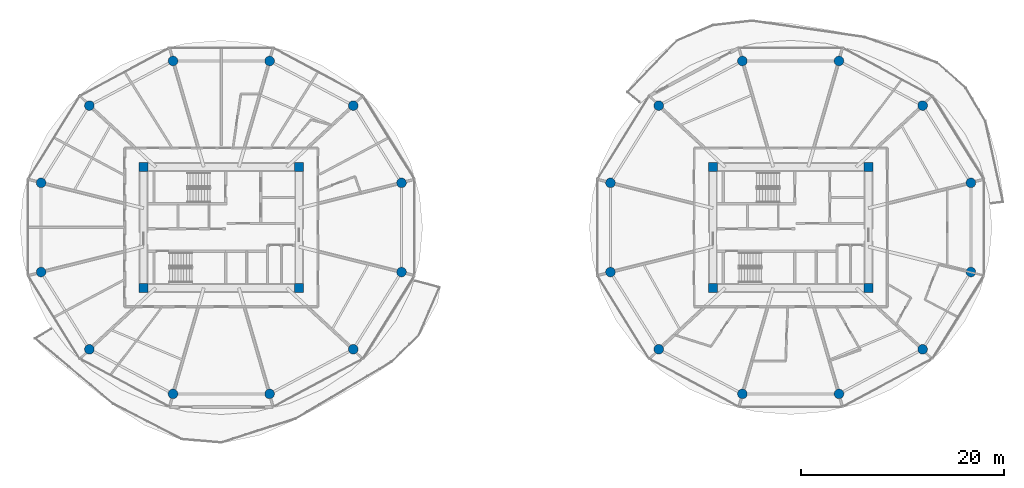
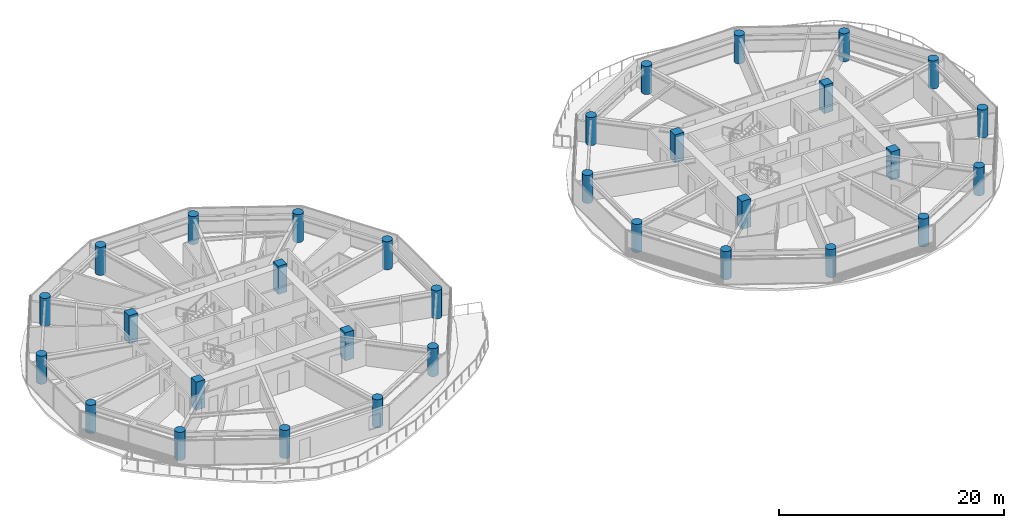
# One storey, part 1 of 26: 32 columns.
"""IFC4 building model written with IfcOpenShell, lengths in metres."""

from ifc_helpers import new_model, si_unit, direction, frame, origin, origin_2d, place, context, subcontext, project, spatial, rectangle, circle, extrude, source, transform, mapped, material, material_profile, profile_set, type_object, type_shapes, element, save


model = new_model("IFC4")

# Units and contexts
model_context = context("Model", 3, precision=1e-05, world=origin(), true_north=direction((0.0, 1.0)))
body_context = subcontext(model_context, "Body", "Model", "MODEL_VIEW")
ifc_project = project(units=[si_unit("LENGTHUNIT", "METRE"), si_unit("AREAUNIT", "SQUARE_METRE"), si_unit("VOLUMEUNIT", "CUBIC_METRE"), si_unit("PLANEANGLEUNIT", "RADIAN"), si_unit("MASSUNIT", "GRAM", prefix="KILO")], contexts=[model_context])

# Site, building, storey
site_placement = place(None, origin())
site = spatial("IfcSite", under=ifc_project, at=site_placement, CompositionType="ELEMENT")
building_placement = place(site_placement, origin())
building = spatial("IfcBuilding", under=site, at=building_placement, Name="Norrkilde Senior Care Towers", CompositionType="ELEMENT")
storey_placement = place(building_placement, frame((0.0, 0.0, 49.050048828125)))
storey = spatial("IfcBuildingStorey", under=building, at=storey_placement, Name="L14", CompositionType="ELEMENT", Elevation=49.050048828125)

# Columns
ifc_material = material(Name="Concrete C60/75", Category="concrete")
ifc_material_profile_1 = material_profile(ifc_material, rectangle(XDim=0.89990234375, YDim=0.89990234375, at=origin_2d()), Name="RC COL 900x900")
ifc_profile_set_1 = profile_set([ifc_material_profile_1], Name="Concrete C60/75")
column_type_1 = type_object("IfcColumnType", Name="Column Core Corner Z1-Z2 900", PredefinedType="COLUMN", material=ifc_profile_set_1)
shared_shape_1 = source(origin(), body_context, "Body", "SweptSolid", [
    extrude(rectangle(XDim=0.89990234375, YDim=0.89990234375, at=origin_2d()), origin(), (0.0, 0.0, 1.0), 3.050048828125),
])
type_shapes(column_type_1, [shared_shape_1])
for number, where, z_axis, x_axis, name in (
    (1, (-35.64990234375, -5.949951171875, 0.0), (0.0, 0.0, 1.0), (1.0, 0.0, 0.0), "L14 Core W Corner Column 1"),
    (2, (-20.35009765625, -5.949951171875, 0.0), (0.0, 0.0, 1.0), (1.0, 0.0, 0.0), "L14 Core W Corner Column 2"),
    (3, (-20.35009765625, 5.949951171875, 0.0), (0.0, 0.0, 1.0), (1.0, 0.0, 0.0), "L14 Core W Corner Column 3"),
    (4, (-35.64990234375, 5.949951171875, 0.0), (0.0, 0.0, 1.0), (1.0, 0.0, 0.0), "L14 Core W Corner Column 4"),
    (5, (20.35009765625, -5.949951171875, 0.0), (0.0, 0.0, 1.0), (1.0, 0.0, 0.0), "L14 Core E Corner Column 1"),
    (6, (35.64990234375, -5.949951171875, 0.0), (0.0, 0.0, 1.0), (1.0, 0.0, 0.0), "L14 Core E Corner Column 2"),
    (7, (35.64990234375, 5.949951171875, 0.0), (0.0, 0.0, 1.0), (1.0, 0.0, 0.0), "L14 Core E Corner Column 3"),
    (8, (20.35009765625, 5.949951171875, 0.0), (0.0, 0.0, 1.0), (1.0, 0.0, 0.0), "L14 Core E Corner Column 4"),
):
    element("IfcColumn", number, at=place(storey_placement, frame(where, z_axis=z_axis, x_axis=x_axis)), inside=storey, type_object=column_type_1, Name=name, PredefinedType="COLUMN", context=body_context, shape_type="MappedRepresentation", body=[
        mapped(shared_shape_1, transform((0.0, 0.0, 0.0), x_axis=(1.0, 0.0, 0.0), y_axis=(0.0, 1.0, 0.0), z_axis=(0.0, 0.0, 1.0), scale=1.0)),
    ])
ifc_material_profile_2 = material_profile(ifc_material, circle(Radius=0.47509765625, at=origin_2d()), Name="RC CIR 950")
ifc_profile_set_2 = profile_set([ifc_material_profile_2], Name="Concrete C60/75")
column_type_2 = type_object("IfcColumnType", Name="Column Perimeter Z1 950", PredefinedType="COLUMN", material=ifc_profile_set_2)
shared_shape_2 = source(origin(), body_context, "Body", "SweptSolid", [
    extrude(circle(Radius=0.47509765625, at=origin_2d()), origin(), (0.0, 0.0, 1.0), 3.050048828125),
])
type_shapes(column_type_2, [shared_shape_2])
for number, where, z_axis, x_axis, name in (
    (9, (-10.275146484375, 4.386962890625, 0.0), (0.0, 0.0, 1.0), (1.0, 0.0, 0.0), "L14 Drum W Perimeter Column 01"),
    (10, (-15.024658203125, 11.9853515625, 0.0), (0.0, 0.0, 1.0), (1.0, 0.0, 0.0), "L14 Drum W Perimeter Column 02"),
    (11, (-23.250732421875, 16.37255859375, 0.0), (0.0, 0.0, 1.0), (1.0, 0.0, 0.0), "L14 Drum W Perimeter Column 03"),
    (12, (-32.749267578125, 16.37255859375, 0.0), (0.0, 0.0, 1.0), (1.0, 0.0, 0.0), "L14 Drum W Perimeter Column 04"),
    (13, (-40.975341796875, 11.9853515625, 0.0), (0.0, 0.0, 1.0), (1.0, 0.0, 0.0), "L14 Drum W Perimeter Column 05"),
    (14, (-45.724853515625, 4.386962890625, 0.0), (0.0, 0.0, 1.0), (1.0, 0.0, 0.0), "L14 Drum W Perimeter Column 06"),
    (15, (-45.724853515625, -4.386962890625, 0.0), (0.0, 0.0, 1.0), (1.0, 0.0, 0.0), "L14 Drum W Perimeter Column 07"),
    (16, (-40.975341796875, -11.9853515625, 0.0), (0.0, 0.0, 1.0), (1.0, 0.0, 0.0), "L14 Drum W Perimeter Column 08"),
    (17, (-32.749267578125, -16.37255859375, 0.0), (0.0, 0.0, 1.0), (1.0, 0.0, 0.0), "L14 Drum W Perimeter Column 09"),
    (18, (-23.250732421875, -16.37255859375, 0.0), (0.0, 0.0, 1.0), (1.0, 0.0, 0.0), "L14 Drum W Perimeter Column 10"),
    (19, (-15.024658203125, -11.9853515625, 0.0), (0.0, 0.0, 1.0), (1.0, 0.0, 0.0), "L14 Drum W Perimeter Column 11"),
    (20, (-10.275146484375, -4.386962890625, 0.0), (0.0, 0.0, 1.0), (1.0, 0.0, 0.0), "L14 Drum W Perimeter Column 12"),
    (21, (45.724853515625, 4.386962890625, 0.0), (0.0, 0.0, 1.0), (1.0, 0.0, 0.0), "L14 Drum E Perimeter Column 01"),
    (22, (40.975341796875, 11.9853515625, 0.0), (0.0, 0.0, 1.0), (1.0, 0.0, 0.0), "L14 Drum E Perimeter Column 02"),
    (23, (32.749267578125, 16.37255859375, 0.0), (0.0, 0.0, 1.0), (1.0, 0.0, 0.0), "L14 Drum E Perimeter Column 03"),
    (24, (23.250732421875, 16.37255859375, 0.0), (0.0, 0.0, 1.0), (1.0, 0.0, 0.0), "L14 Drum E Perimeter Column 04"),
    (25, (15.024658203125, 11.9853515625, 0.0), (0.0, 0.0, 1.0), (1.0, 0.0, 0.0), "L14 Drum E Perimeter Column 05"),
    (26, (10.275146484375, 4.386962890625, 0.0), (0.0, 0.0, 1.0), (1.0, 0.0, 0.0), "L14 Drum E Perimeter Column 06"),
    (27, (10.275146484375, -4.386962890625, 0.0), (0.0, 0.0, 1.0), (1.0, 0.0, 0.0), "L14 Drum E Perimeter Column 07"),
    (28, (15.024658203125, -11.9853515625, 0.0), (0.0, 0.0, 1.0), (1.0, 0.0, 0.0), "L14 Drum E Perimeter Column 08"),
    (29, (23.250732421875, -16.37255859375, 0.0), (0.0, 0.0, 1.0), (1.0, 0.0, 0.0), "L14 Drum E Perimeter Column 09"),
    (30, (32.749267578125, -16.37255859375, 0.0), (0.0, 0.0, 1.0), (1.0, 0.0, 0.0), "L14 Drum E Perimeter Column 10"),
    (31, (40.975341796875, -11.9853515625, 0.0), (0.0, 0.0, 1.0), (1.0, 0.0, 0.0), "L14 Drum E Perimeter Column 11"),
    (32, (45.724853515625, -4.386962890625, 0.0), (0.0, 0.0, 1.0), (1.0, 0.0, 0.0), "L14 Drum E Perimeter Column 12"),
):
    element("IfcColumn", number, at=place(storey_placement, frame(where, z_axis=z_axis, x_axis=x_axis)), inside=storey, type_object=column_type_2, Name=name, PredefinedType="COLUMN", context=body_context, shape_type="MappedRepresentation", body=[
        mapped(shared_shape_2, transform((0.0, 0.0, 0.0), x_axis=(1.0, 0.0, 0.0), y_axis=(0.0, 1.0, 0.0), z_axis=(0.0, 0.0, 1.0), scale=1.0)),
    ])

save(model, "model.ifc")
